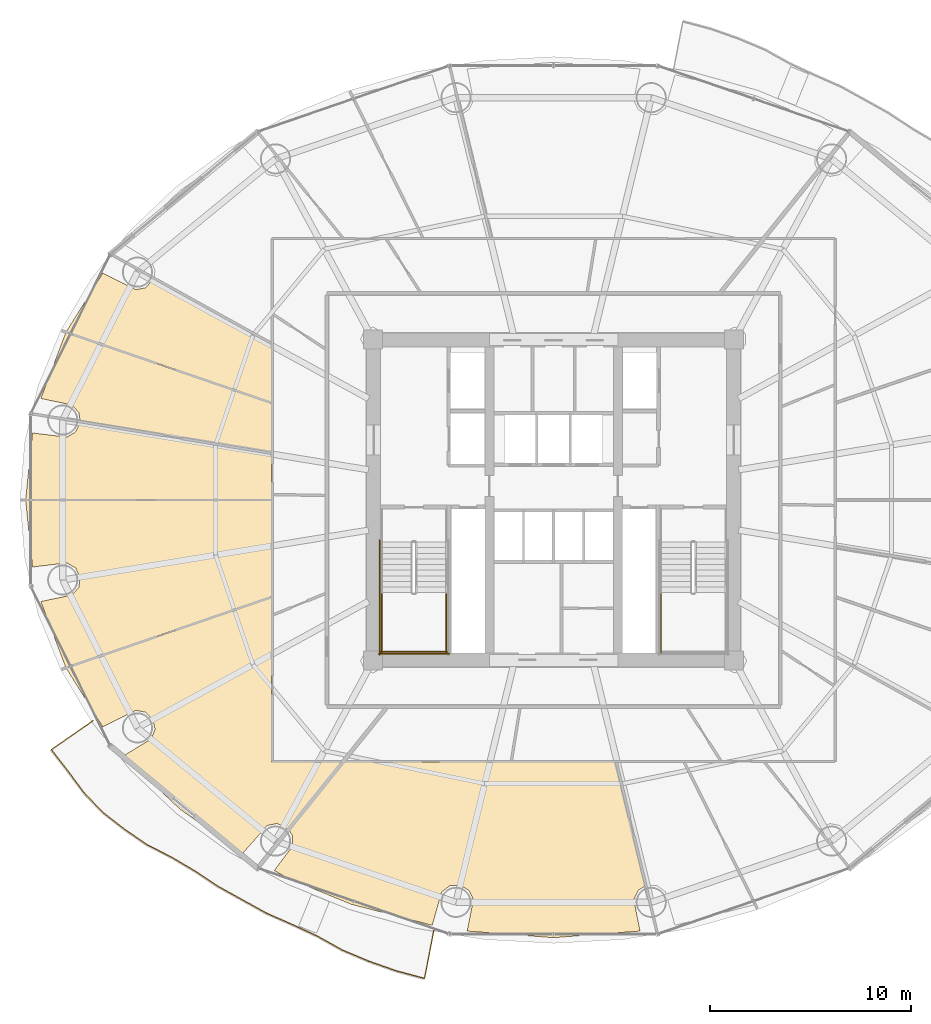
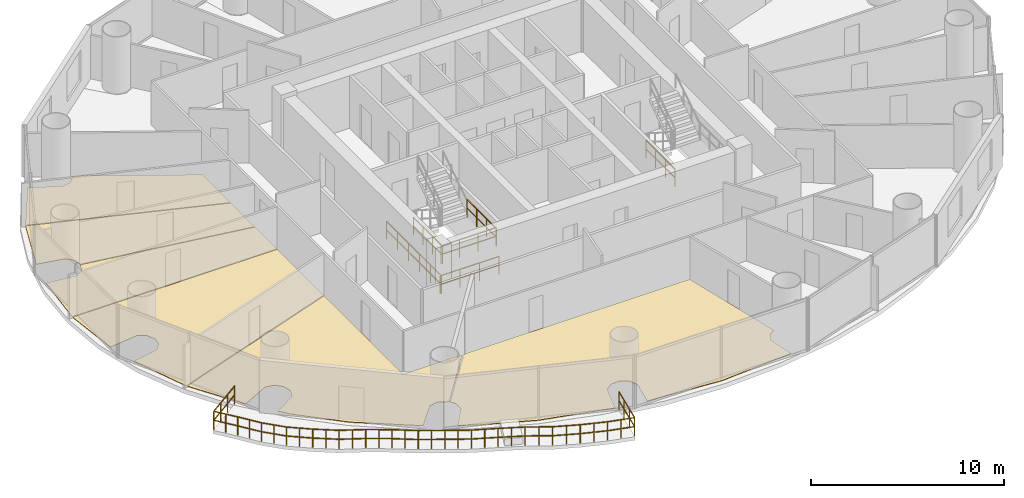
# One storey, part 26 of 29: 7 railings, 6 coverings.
"""IFC4 building model written with IfcOpenShell, lengths in metres."""

from ifc_helpers import new_model, si_unit, direction, frame, origin, origin_2d, place, context, subcontext, project, spatial, polyline, rectangle, outline, extrude, material, layer, layer_set, type_object, element, save


model = new_model("IFC4")

# Units and contexts
model_context = context("Model", 3, precision=1e-05, world=origin(), true_north=direction((-0.2419218956, 0.970295726276)))
body_context = subcontext(model_context, "Body", "Model", "MODEL_VIEW")
ifc_project = project(units=[si_unit("LENGTHUNIT", "METRE"), si_unit("AREAUNIT", "SQUARE_METRE"), si_unit("VOLUMEUNIT", "CUBIC_METRE"), si_unit("PLANEANGLEUNIT", "RADIAN"), si_unit("MASSUNIT", "GRAM", prefix="KILO")], contexts=[model_context])

# Site, building, storey
site_placement = place(None, origin())
site = spatial("IfcSite", under=ifc_project, at=site_placement, CompositionType="ELEMENT")
building_placement = place(site_placement, origin())
building = spatial("IfcBuilding", under=site, at=building_placement, Name="Cobrevalo Terracotta Tower", CompositionType="ELEMENT")
storey_placement = place(building_placement, frame((0.0, 0.0, 119.39990234375)))
storey = spatial("IfcBuildingStorey", under=building, at=storey_placement, Name="L31", CompositionType="ELEMENT", Elevation=119.39990234375)

# Railing
ifc_material_1 = material(Name="Laminated structural glass and stainless steel", Category="steel")
railing_type_1 = type_object("IfcRailingType", Name="Balcony lobe structural glass & terracotta-cap balustrade 1180 mm", PredefinedType="BALUSTRADE", material=ifc_material_1)
railing_1_placement = place(storey_placement, frame((15.0400390625, 15.797119140625, 0.0)))
element("IfcRailing", 1, at=railing_1_placement, inside=storey, type_object=railing_type_1, Name="L31 spiralling balcony lobe balustrade 2", PredefinedType="BALUSTRADE", context=body_context, shape_type="SweptSolid", body=[
    extrude(rectangle(XDim=0.048095703125, YDim=0.048095703125, at=origin_2d()), frame((0.0, 0.0, 1.15576171875), z_axis=(-0.821688559467, -0.569936760738, 0.0), x_axis=(0.569936760738, -0.821688559467, 0.0)), (0.0, 0.0, 1.0), 2.531982421875),
    extrude(rectangle(XDim=0.048095703125, YDim=0.048095703125, at=origin_2d()), frame((0.0, 0.0, 0.58984375), z_axis=(-0.821688559467, -0.569936760738, 0.0), x_axis=(0.569936760738, -0.821688559467, 0.0)), (0.0, 0.0, 1.0), 2.531982421875),
    extrude(rectangle(XDim=0.048095703125, YDim=0.048095703125, at=origin_2d()), frame((-2.08056640625, -1.443115234375, 1.15576171875), z_axis=(0.613902845366, -0.789381591153, 0.0), x_axis=(0.789381591153, 0.613902845366, 0.0)), (0.0, 0.0, 1.0), 1.342529296875),
    extrude(rectangle(XDim=0.048095703125, YDim=0.048095703125, at=origin_2d()), frame((-2.08056640625, -1.443115234375, 0.58984375), z_axis=(0.613902845366, -0.789381591153, 0.0), x_axis=(0.789381591153, 0.613902845366, 0.0)), (0.0, 0.0, 1.0), 1.342529296875),
    extrude(rectangle(XDim=0.048095703125, YDim=0.048095703125, at=origin_2d()), frame((-1.25634765625, -2.5029296875, 1.15576171875), z_axis=(0.594845351967, -0.803840162746, 0.0), x_axis=(0.803840162746, 0.594845351967, 0.0)), (0.0, 0.0, 1.0), 1.344482421875),
    extrude(rectangle(XDim=0.048095703125, YDim=0.048095703125, at=origin_2d()), frame((-1.25634765625, -2.5029296875, 0.58984375), z_axis=(0.594845351967, -0.803840162746, 0.0), x_axis=(0.803840162746, 0.594845351967, 0.0)), (0.0, 0.0, 1.0), 1.344482421875),
    extrude(rectangle(XDim=0.048095703125, YDim=0.048095703125, at=origin_2d()), frame((-0.45654296875, -3.583740234375, 1.15576171875), z_axis=(0.690106141714, -0.72370816851, 0.0), x_axis=(0.72370816851, 0.690106141714, 0.0)), (0.0, 0.0, 1.0), 1.351318359375),
    extrude(rectangle(XDim=0.048095703125, YDim=0.048095703125, at=origin_2d()), frame((-0.45654296875, -3.583740234375, 0.58984375), z_axis=(0.690106141714, -0.72370816851, 0.0), x_axis=(0.72370816851, 0.690106141714, 0.0)), (0.0, 0.0, 1.0), 1.351318359375),
    extrude(rectangle(XDim=0.048095703125, YDim=0.048095703125, at=origin_2d()), frame((0.47607421875, -4.561767578125, 1.15576171875), z_axis=(0.788738669007, -0.614728649091, 0.0), x_axis=(0.614728649091, 0.788738669007, 0.0)), (0.0, 0.0, 1.0), 1.3720703125),
    extrude(rectangle(XDim=0.048095703125, YDim=0.048095703125, at=origin_2d()), frame((0.47607421875, -4.561767578125, 0.58984375), z_axis=(0.788738669007, -0.614728649091, 0.0), x_axis=(0.614728649091, 0.788738669007, 0.0)), (0.0, 0.0, 1.0), 1.3720703125),
    extrude(rectangle(XDim=0.048095703125, YDim=0.048095703125, at=origin_2d()), frame((1.558349609375, -5.4052734375, 1.15576171875), z_axis=(0.824418249689, -0.565981050548, 0.0), x_axis=(0.565981050548, 0.824418249689, 0.0)), (0.0, 0.0, 1.0), 1.3623046875),
    extrude(rectangle(XDim=0.048095703125, YDim=0.048095703125, at=origin_2d()), frame((1.558349609375, -5.4052734375, 0.58984375), z_axis=(0.824418249689, -0.565981050548, 0.0), x_axis=(0.565981050548, 0.824418249689, 0.0)), (0.0, 0.0, 1.0), 1.3623046875),
    extrude(rectangle(XDim=0.048095703125, YDim=0.048095703125, at=origin_2d()), frame((2.681396484375, -6.17626953125, 1.15576171875), z_axis=(0.890499434738, -0.454984347786, 0.0), x_axis=(0.454984347786, 0.890499434738, 0.0)), (0.0, 0.0, 1.0), 1.391845703125),
    extrude(rectangle(XDim=0.048095703125, YDim=0.048095703125, at=origin_2d()), frame((2.681396484375, -6.17626953125, 0.58984375), z_axis=(0.890499434738, -0.454984347786, 0.0), x_axis=(0.454984347786, 0.890499434738, 0.0)), (0.0, 0.0, 1.0), 1.391845703125),
    extrude(rectangle(XDim=0.048095703125, YDim=0.048095703125, at=origin_2d()), frame((3.9208984375, -6.8095703125, 1.15576171875), z_axis=(0.861385990697, -0.507950957308, 0.0), x_axis=(0.507950957308, 0.861385990697, 0.0)), (0.0, 0.0, 1.0), 1.363525390625),
    extrude(rectangle(XDim=0.048095703125, YDim=0.048095703125, at=origin_2d()), frame((3.9208984375, -6.8095703125, 0.58984375), z_axis=(0.861385990697, -0.507950957308, 0.0), x_axis=(0.507950957308, 0.861385990697, 0.0)), (0.0, 0.0, 1.0), 1.363525390625),
    extrude(rectangle(XDim=0.048095703125, YDim=0.048095703125, at=origin_2d()), frame((5.095458984375, -7.502197265625, 1.15576171875), z_axis=(0.832684890841, -0.55374711969, 0.0), x_axis=(0.55374711969, 0.832684890841, 0.0)), (0.0, 0.0, 1.0), 1.360107421875),
    extrude(rectangle(XDim=0.048095703125, YDim=0.048095703125, at=origin_2d()), frame((5.095458984375, -7.502197265625, 0.58984375), z_axis=(0.832684890841, -0.55374711969, 0.0), x_axis=(0.55374711969, 0.832684890841, 0.0)), (0.0, 0.0, 1.0), 1.360107421875),
    extrude(rectangle(XDim=0.048095703125, YDim=0.048095703125, at=origin_2d()), frame((6.22802734375, -8.25537109375, 1.15576171875), z_axis=(0.873956840222, -0.486003540553, 0.0), x_axis=(0.486003540553, 0.873956840222, 0.0)), (0.0, 0.0, 1.0), 1.37939453125),
    extrude(rectangle(XDim=0.048095703125, YDim=0.048095703125, at=origin_2d()), frame((6.22802734375, -8.25537109375, 0.58984375), z_axis=(0.873956840222, -0.486003540553, 0.0), x_axis=(0.486003540553, 0.873956840222, 0.0)), (0.0, 0.0, 1.0), 1.37939453125),
    extrude(rectangle(XDim=0.048095703125, YDim=0.048095703125, at=origin_2d()), frame((7.43359375, -8.92578125, 1.15576171875), z_axis=(0.87528297615, -0.483611116148, 0.0), x_axis=(0.483611116148, 0.87528297615, 0.0)), (0.0, 0.0, 1.0), 1.378173828125),
    extrude(rectangle(XDim=0.048095703125, YDim=0.048095703125, at=origin_2d()), frame((7.43359375, -8.92578125, 0.58984375), z_axis=(0.87528297615, -0.483611116148, 0.0), x_axis=(0.483611116148, 0.87528297615, 0.0)), (0.0, 0.0, 1.0), 1.378173828125),
    extrude(rectangle(XDim=0.048095703125, YDim=0.048095703125, at=origin_2d()), frame((8.639892578125, -9.59228515625, 1.15576171875), z_axis=(0.915113559064, -0.403196197919, 0.0), x_axis=(0.403196197919, 0.915113559064, 0.0)), (0.0, 0.0, 1.0), 1.39453125),
    extrude(rectangle(XDim=0.048095703125, YDim=0.048095703125, at=origin_2d()), frame((8.639892578125, -9.59228515625, 0.58984375), z_axis=(0.915113559064, -0.403196197919, 0.0), x_axis=(0.403196197919, 0.915113559064, 0.0)), (0.0, 0.0, 1.0), 1.39453125),
    extrude(rectangle(XDim=0.048095703125, YDim=0.048095703125, at=origin_2d()), frame((9.916015625, -10.154541015625, 1.15576171875), z_axis=(0.907816727581, -0.419367129283, 0.0), x_axis=(0.419367129283, 0.907816727581, 0.0)), (0.0, 0.0, 1.0), 1.403076171875),
    extrude(rectangle(XDim=0.048095703125, YDim=0.048095703125, at=origin_2d()), frame((9.916015625, -10.154541015625, 0.58984375), z_axis=(0.907816727581, -0.419367129283, 0.0), x_axis=(0.419367129283, 0.907816727581, 0.0)), (0.0, 0.0, 1.0), 1.403076171875),
    extrude(rectangle(XDim=0.048095703125, YDim=0.048095703125, at=origin_2d()), frame((11.189697265625, -10.742919921875, 1.15576171875), z_axis=(0.873059011512, -0.487614563377, 0.0), x_axis=(0.487614563377, 0.873059011512, 0.0)), (0.0, 0.0, 1.0), 1.428955078125),
    extrude(rectangle(XDim=0.048095703125, YDim=0.048095703125, at=origin_2d()), frame((11.189697265625, -10.742919921875, 0.58984375), z_axis=(0.873059011512, -0.487614563377, 0.0), x_axis=(0.487614563377, 0.873059011512, 0.0)), (0.0, 0.0, 1.0), 1.428955078125),
    extrude(rectangle(XDim=0.048095703125, YDim=0.048095703125, at=origin_2d()), frame((12.437255859375, -11.439697265625, 1.15576171875), z_axis=(0.922710376599, -0.385493918131, 0.0), x_axis=(0.385493918131, 0.922710376599, 0.0)), (0.0, 0.0, 1.0), 1.440185546875),
    extrude(rectangle(XDim=0.048095703125, YDim=0.048095703125, at=origin_2d()), frame((12.437255859375, -11.439697265625, 0.58984375), z_axis=(0.922710376599, -0.385493918131, 0.0), x_axis=(0.385493918131, 0.922710376599, 0.0)), (0.0, 0.0, 1.0), 1.440185546875),
    extrude(rectangle(XDim=0.048095703125, YDim=0.048095703125, at=origin_2d()), frame((13.76611328125, -11.994873046875, 1.15576171875), z_axis=(0.943345724763, -0.331811457867, 0.0), x_axis=(0.331811457867, 0.943345724763, 0.0)), (0.0, 0.0, 1.0), 1.443603515625),
    extrude(rectangle(XDim=0.048095703125, YDim=0.048095703125, at=origin_2d()), frame((13.76611328125, -11.994873046875, 0.58984375), z_axis=(0.943345724763, -0.331811457867, 0.0), x_axis=(0.331811457867, 0.943345724763, 0.0)), (0.0, 0.0, 1.0), 1.443603515625),
    extrude(rectangle(XDim=0.048095703125, YDim=0.048095703125, at=origin_2d()), frame((15.1279296875, -12.473876953125, 1.15576171875), z_axis=(0.96615949458, -0.257945403203, 0.0), x_axis=(0.257945403203, 0.96615949458, 0.0)), (0.0, 0.0, 1.0), 1.450927734375),
    extrude(rectangle(XDim=0.048095703125, YDim=0.048095703125, at=origin_2d()), frame((15.1279296875, -12.473876953125, 0.58984375), z_axis=(0.96615949458, -0.257945403203, 0.0), x_axis=(0.257945403203, 0.96615949458, 0.0)), (0.0, 0.0, 1.0), 1.450927734375),
    extrude(rectangle(XDim=0.048095703125, YDim=0.048095703125, at=origin_2d()), frame((16.52978515625, -12.84814453125, 1.15576171875), z_axis=(0.188974829372, 0.981981931536, 0.0), x_axis=(-0.981981931536, 0.188974829372, 0.0)), (0.0, 0.0, 1.0), 2.487060546875),
    extrude(rectangle(XDim=0.048095703125, YDim=0.048095703125, at=origin_2d()), frame((16.52978515625, -12.84814453125, 0.58984375), z_axis=(0.188974829372, 0.981981931536, 0.0), x_axis=(-0.981981931536, 0.188974829372, 0.0)), (0.0, 0.0, 1.0), 2.487060546875),
    extrude(rectangle(XDim=0.0419921875, YDim=0.0419921875, at=origin_2d()), origin(), (0.0, 0.0, 1.0), 1.1318359375),
    extrude(rectangle(XDim=0.0419921875, YDim=0.0419921875, at=origin_2d()), frame((-0.693603515625, -0.48095703125, 0.0)), (0.0, 0.0, 1.0), 1.1318359375),
    extrude(rectangle(XDim=0.0419921875, YDim=0.0419921875, at=origin_2d()), frame((-1.386962890625, -0.962158203125, 0.0)), (0.0, 0.0, 1.0), 1.1318359375),
    extrude(rectangle(XDim=0.0419921875, YDim=0.0419921875, at=origin_2d()), frame((-2.08056640625, -1.443115234375, 0.0)), (0.0, 0.0, 1.0), 1.1318359375),
    extrude(rectangle(XDim=0.0419921875, YDim=0.0419921875, at=origin_2d()), frame((-1.66845703125, -1.97314453125, 0.0)), (0.0, 0.0, 1.0), 1.1318359375),
    extrude(rectangle(XDim=0.0419921875, YDim=0.0419921875, at=origin_2d()), frame((-1.25634765625, -2.5029296875, 0.0)), (0.0, 0.0, 1.0), 1.1318359375),
    extrude(rectangle(XDim=0.0419921875, YDim=0.0419921875, at=origin_2d()), frame((-0.8564453125, -3.04345703125, 0.0)), (0.0, 0.0, 1.0), 1.1318359375),
    extrude(rectangle(XDim=0.0419921875, YDim=0.0419921875, at=origin_2d()), frame((-0.45654296875, -3.583740234375, 0.0)), (0.0, 0.0, 1.0), 1.1318359375),
    extrude(rectangle(XDim=0.0419921875, YDim=0.0419921875, at=origin_2d()), frame((0.009765625, -4.07275390625, 0.0)), (0.0, 0.0, 1.0), 1.1318359375),
    extrude(rectangle(XDim=0.0419921875, YDim=0.0419921875, at=origin_2d()), frame((0.47607421875, -4.561767578125, 0.0)), (0.0, 0.0, 1.0), 1.1318359375),
    extrude(rectangle(XDim=0.0419921875, YDim=0.0419921875, at=origin_2d()), frame((1.01708984375, -4.9833984375, 0.0)), (0.0, 0.0, 1.0), 1.1318359375),
    extrude(rectangle(XDim=0.0419921875, YDim=0.0419921875, at=origin_2d()), frame((1.558349609375, -5.4052734375, 0.0)), (0.0, 0.0, 1.0), 1.1318359375),
    extrude(rectangle(XDim=0.0419921875, YDim=0.0419921875, at=origin_2d()), frame((2.119873046875, -5.790771484375, 0.0)), (0.0, 0.0, 1.0), 1.1318359375),
    extrude(rectangle(XDim=0.0419921875, YDim=0.0419921875, at=origin_2d()), frame((2.681396484375, -6.17626953125, 0.0)), (0.0, 0.0, 1.0), 1.1318359375),
    extrude(rectangle(XDim=0.0419921875, YDim=0.0419921875, at=origin_2d()), frame((3.30126953125, -6.492919921875, 0.0)), (0.0, 0.0, 1.0), 1.1318359375),
    extrude(rectangle(XDim=0.0419921875, YDim=0.0419921875, at=origin_2d()), frame((3.9208984375, -6.8095703125, 0.0)), (0.0, 0.0, 1.0), 1.1318359375),
    extrude(rectangle(XDim=0.0419921875, YDim=0.0419921875, at=origin_2d()), frame((4.50830078125, -7.15576171875, 0.0)), (0.0, 0.0, 1.0), 1.1318359375),
    extrude(rectangle(XDim=0.0419921875, YDim=0.0419921875, at=origin_2d()), frame((5.095458984375, -7.502197265625, 0.0)), (0.0, 0.0, 1.0), 1.1318359375),
    extrude(rectangle(XDim=0.0419921875, YDim=0.0419921875, at=origin_2d()), frame((5.66162109375, -7.87890625, 0.0)), (0.0, 0.0, 1.0), 1.1318359375),
    extrude(rectangle(XDim=0.0419921875, YDim=0.0419921875, at=origin_2d()), frame((6.22802734375, -8.25537109375, 0.0)), (0.0, 0.0, 1.0), 1.1318359375),
    extrude(rectangle(XDim=0.0419921875, YDim=0.0419921875, at=origin_2d()), frame((6.830810546875, -8.590576171875, 0.0)), (0.0, 0.0, 1.0), 1.1318359375),
    extrude(rectangle(XDim=0.0419921875, YDim=0.0419921875, at=origin_2d()), frame((7.43359375, -8.92578125, 0.0)), (0.0, 0.0, 1.0), 1.1318359375),
    extrude(rectangle(XDim=0.0419921875, YDim=0.0419921875, at=origin_2d()), frame((8.03662109375, -9.259033203125, 0.0)), (0.0, 0.0, 1.0), 1.1318359375),
    extrude(rectangle(XDim=0.0419921875, YDim=0.0419921875, at=origin_2d()), frame((8.639892578125, -9.59228515625, 0.0)), (0.0, 0.0, 1.0), 1.1318359375),
    extrude(rectangle(XDim=0.0419921875, YDim=0.0419921875, at=origin_2d()), frame((9.27783203125, -9.87353515625, 0.0)), (0.0, 0.0, 1.0), 1.1318359375),
    extrude(rectangle(XDim=0.0419921875, YDim=0.0419921875, at=origin_2d()), frame((9.916015625, -10.154541015625, 0.0)), (0.0, 0.0, 1.0), 1.1318359375),
    extrude(rectangle(XDim=0.0419921875, YDim=0.0419921875, at=origin_2d()), frame((10.552734375, -10.44873046875, 0.0)), (0.0, 0.0, 1.0), 1.1318359375),
    extrude(rectangle(XDim=0.0419921875, YDim=0.0419921875, at=origin_2d()), frame((11.189697265625, -10.742919921875, 0.0)), (0.0, 0.0, 1.0), 1.1318359375),
    extrude(rectangle(XDim=0.0419921875, YDim=0.0419921875, at=origin_2d()), frame((11.8134765625, -11.09130859375, 0.0)), (0.0, 0.0, 1.0), 1.1318359375),
    extrude(rectangle(XDim=0.0419921875, YDim=0.0419921875, at=origin_2d()), frame((12.437255859375, -11.439697265625, 0.0)), (0.0, 0.0, 1.0), 1.1318359375),
    extrude(rectangle(XDim=0.0419921875, YDim=0.0419921875, at=origin_2d()), frame((13.1015625, -11.71728515625, 0.0)), (0.0, 0.0, 1.0), 1.1318359375),
    extrude(rectangle(XDim=0.0419921875, YDim=0.0419921875, at=origin_2d()), frame((13.76611328125, -11.994873046875, 0.0)), (0.0, 0.0, 1.0), 1.1318359375),
    extrude(rectangle(XDim=0.0419921875, YDim=0.0419921875, at=origin_2d()), frame((14.447021484375, -12.234375, 0.0)), (0.0, 0.0, 1.0), 1.1318359375),
    extrude(rectangle(XDim=0.0419921875, YDim=0.0419921875, at=origin_2d()), frame((15.1279296875, -12.473876953125, 0.0)), (0.0, 0.0, 1.0), 1.1318359375),
    extrude(rectangle(XDim=0.0419921875, YDim=0.0419921875, at=origin_2d()), frame((15.828857421875, -12.6611328125, 0.0)), (0.0, 0.0, 1.0), 1.1318359375),
    extrude(rectangle(XDim=0.0419921875, YDim=0.0419921875, at=origin_2d()), frame((16.52978515625, -12.84814453125, 0.0)), (0.0, 0.0, 1.0), 1.1318359375),
    extrude(rectangle(XDim=0.0419921875, YDim=0.0419921875, at=origin_2d()), frame((16.6865234375, -12.0341796875, 0.0)), (0.0, 0.0, 1.0), 1.1318359375),
    extrude(rectangle(XDim=0.0419921875, YDim=0.0419921875, at=origin_2d()), frame((16.843017578125, -11.219970703125, 0.0)), (0.0, 0.0, 1.0), 1.1318359375),
    extrude(rectangle(XDim=0.0419921875, YDim=0.0419921875, at=origin_2d()), frame((16.999755859375, -10.406005859375, 0.0)), (0.0, 0.0, 1.0), 1.1318359375),
])

# Coverings
ifc_material_2 = material(Name="Engineered Brazilian hardwood flooring", Category="wood")
ifc_layer = layer(ifc_material_2, 0.028076171875)
ifc_layer_set = layer_set([ifc_layer], Name="Engineered Brazilian hardwood flooring")
covering_type = type_object("IfcCoveringType", Name="Engineered Hardwood Suite Flooring 28", PredefinedType="FLOORING", material=ifc_layer_set)
covering_1_placement = place(storey_placement, origin())
element("IfcCovering", 2, at=covering_1_placement, inside=storey, type_object=covering_type, Name="Flat L31A South Bedroom floor finish", PredefinedType="FLOORING", context=body_context, shape_type="SweptSolid", body=[
    extrude(outline(polyline([(15.525146484375, 38.10546875), (17.15966796875, 37.286376953125), (17.661865234375, 37.381103515625), (18.0703125, 37.8408203125), (23.945068359375, 34.57958984375), (23.945068359375, 31.657958984375), (13.703125, 35.1826171875), (15.525146484375, 38.10546875)])), origin(), (0.0, 0.0, 1.0), 0.030029296875),
])
covering_2_placement = place(storey_placement, origin())
element("IfcCovering", 3, at=covering_2_placement, inside=storey, type_object=covering_type, Name="Flat L31A Penthouse Family Lounge floor finish", PredefinedType="FLOORING", context=body_context, shape_type="SweptSolid", body=[
    extrude(outline(polyline([(13.6845703125, 35.146728515625), (23.945068359375, 31.61572265625), (23.945068359375, 29.14306640625), (14.402587890625, 30.719970703125), (14.330322265625, 31.154541015625), (13.99267578125, 31.537841796875), (12.435791015625, 31.859619140625), (13.6845703125, 35.146728515625)])), origin(), (0.0, 0.0, 1.0), 0.030029296875),
])
covering_3_placement = place(storey_placement, origin())
element("IfcCovering", 4, at=covering_3_placement, inside=storey, type_object=covering_type, Name="Flat L31A Penthouse Family Lounge floor finish", PredefinedType="FLOORING", context=body_context, shape_type="SweptSolid", body=[
    extrude(outline(polyline([(12.024169921875, 30.143310546875), (13.73095703125, 29.932861328125), (14.1728515625, 30.189208984375), (14.39697265625, 30.680419921875), (23.945068359375, 29.1025390625), (23.945068359375, 26.820068359375), (11.681640625, 26.820068359375), (12.024169921875, 30.143310546875)])), origin(), (0.0, 0.0, 1.0), 0.030029296875),
])
covering_4_placement = place(storey_placement, origin())
element("IfcCovering", 5, at=covering_4_placement, inside=storey, type_object=covering_type, Name="Flat L31A Penthouse Family Lounge floor finish", PredefinedType="FLOORING", context=body_context, shape_type="SweptSolid", body=[
    extrude(outline(polyline([(13.6845703125, 18.453369140625), (12.435791015625, 21.740478515625), (13.99267578125, 22.06201171875), (14.330322265625, 22.445556640625), (14.39794921875, 22.951904296875), (14.1728515625, 23.41064453125), (13.73095703125, 23.6669921875), (12.024169921875, 23.45654296875), (11.681640625, 26.780029296875), (23.945068359375, 26.780029296875), (23.945068359375, 21.984375), (13.6845703125, 18.453369140625)])), origin(), (0.0, 0.0, 1.0), 0.030029296875),
])
covering_5_placement = place(storey_placement, origin())
element("IfcCovering", 6, at=covering_5_placement, inside=storey, type_object=covering_type, Name="Flat L31A Private Cinema Room floor finish", PredefinedType="FLOORING", context=body_context, shape_type="SweptSolid", body=[
    extrude(outline(polyline([(16.64697265625, 14.102294921875), (17.94091796875, 14.88720703125), (18.131591796875, 15.361328125), (18.02685546875, 15.861328125), (17.661865234375, 16.218994140625), (17.15966796875, 16.3134765625), (15.525146484375, 15.49462890625), (13.703125, 18.417236328125), (23.945068359375, 21.94189453125), (23.945068359375, 13.7451171875), (27.47509765625, 13.7451171875), (24.780029296875, 10.393798828125), (24.221923828125, 10.672607421875), (23.72119140625, 10.5712890625), (22.511474609375, 9.193359375), (19.3876953125, 11.372314453125), (17.117919921875, 13.518310546875), (16.64697265625, 14.102294921875)])), origin(), (0.0, 0.0, 1.0), 0.030029296875),
])
covering_6_placement = place(storey_placement, origin())
element("IfcCovering", 7, at=covering_6_placement, inside=storey, type_object=covering_type, Name="Flat L31B Penthouse Living and Dining Room floor finish", PredefinedType="FLOORING", context=body_context, shape_type="SweptSolid", body=[
    extrude(outline(polyline([(38.0, 4.97998046875), (33.6904296875, 5.310791015625), (34.002197265625, 6.87841796875), (33.7802734375, 7.3388671875), (33.340087890625, 7.59814453125), (32.829833984375, 7.5693359375), (32.421875, 7.261962890625), (31.94921875, 5.59814453125), (27.926513671875, 6.641357421875), (24.838623046875, 7.904052734375), (24.07568359375, 8.32666015625), (24.9814453125, 9.543701171875), (24.97998046875, 10.0546875), (24.806640625, 10.36328125), (27.5263671875, 13.7451171875), (41.10498046875, 13.7451171875), (42.5830078125, 7.5712890625), (42.2197265625, 7.3388671875), (41.997802734375, 6.87841796875), (42.3095703125, 5.310791015625), (38.0, 4.97998046875)])), origin(), (0.0, 0.0, 1.0), 0.030029296875),
])

# Railings
ifc_material_3 = material(Name="Painted galvanized steel", Category="steel")
railing_type_2 = type_object("IfcRailingType", Name="Stair Well Guard Balustrade 1150", PredefinedType="GUARDRAIL", material=ifc_material_3)
for number, where, name in (
    (8, (29.425048828125, 22.179931640625, 1.800048828125), "L31 ST-1 stair guard 3"),
    (9, (32.64501953125, 22.179931640625, 1.800048828125), "L31 ST-1 stair guard 4"),
):
    element("IfcRailing", number, at=place(storey_placement, frame(where)), inside=storey, type_object=railing_type_2, Name=name, PredefinedType="GUARDRAIL", context=body_context, shape_type="SweptSolid", body=[
        extrude(rectangle(XDim=0.048095703125, YDim=0.048095703125, at=origin_2d()), frame((0.0, 0.0, 1.1259765625), z_axis=(0.0, -1.0, 0.0), x_axis=(1.0, 0.0, 0.0)), (0.0, 0.0, 1.0), 3.0048828125),
        extrude(rectangle(XDim=0.048095703125, YDim=0.048095703125, at=origin_2d()), frame((0.0, 0.0, 0.574951171875), z_axis=(0.0, -1.0, 0.0), x_axis=(1.0, 0.0, 0.0)), (0.0, 0.0, 1.0), 3.0048828125),
        extrude(rectangle(XDim=0.0419921875, YDim=0.0419921875, at=origin_2d()), origin(), (0.0, 0.0, 1.0), 1.101806640625),
        extrude(rectangle(XDim=0.0419921875, YDim=0.0419921875, at=origin_2d()), frame((0.0, -1.001708984375, 0.0)), (0.0, 0.0, 1.0), 1.101806640625),
        extrude(rectangle(XDim=0.0419921875, YDim=0.0419921875, at=origin_2d()), frame((0.0, -2.003173828125, 0.0)), (0.0, 0.0, 1.0), 1.101806640625),
        extrude(rectangle(XDim=0.0419921875, YDim=0.0419921875, at=origin_2d()), frame((0.0, -3.0048828125, 0.0)), (0.0, 0.0, 1.0), 1.101806640625),
    ])
railing_2_placement = place(storey_placement, frame((29.375, 19.22509765625, 1.800048828125)))
element("IfcRailing", 10, at=railing_2_placement, inside=storey, type_object=railing_type_2, Name="L31 ST-1 stair guard 5", PredefinedType="GUARDRAIL", context=body_context, shape_type="SweptSolid", body=[
    extrude(rectangle(XDim=0.048095703125, YDim=0.048095703125, at=origin_2d()), frame((0.0, 0.0, 1.1259765625), z_axis=(1.0, 0.0, 0.0), x_axis=(0.0, 1.0, 0.0)), (0.0, 0.0, 1.0), 3.320068359375),
    extrude(rectangle(XDim=0.048095703125, YDim=0.048095703125, at=origin_2d()), frame((0.0, 0.0, 0.574951171875), z_axis=(1.0, 0.0, 0.0), x_axis=(0.0, 1.0, 0.0)), (0.0, 0.0, 1.0), 3.320068359375),
    extrude(rectangle(XDim=0.0419921875, YDim=0.0419921875, at=origin_2d()), origin(), (0.0, 0.0, 1.0), 1.101806640625),
    extrude(rectangle(XDim=0.0419921875, YDim=0.0419921875, at=origin_2d()), frame((1.106689453125, 0.0, 0.0)), (0.0, 0.0, 1.0), 1.101806640625),
    extrude(rectangle(XDim=0.0419921875, YDim=0.0419921875, at=origin_2d()), frame((2.21337890625, 0.0, 0.0)), (0.0, 0.0, 1.0), 1.101806640625),
    extrude(rectangle(XDim=0.0419921875, YDim=0.0419921875, at=origin_2d()), frame((3.320068359375, 0.0, 0.0)), (0.0, 0.0, 1.0), 1.101806640625),
])
railing_3_placement = place(storey_placement, frame((29.324951171875, 24.800048828125, 0.0)))
element("IfcRailing", 11, at=railing_3_placement, inside=storey, type_object=railing_type_2, Name="L31 ST-1 stair guard 10", PredefinedType="GUARDRAIL", context=body_context, shape_type="SweptSolid", body=[
    extrude(rectangle(XDim=0.048095703125, YDim=0.048095703125, at=origin_2d()), frame((0.0, 0.0, 1.1259765625), z_axis=(0.0, -1.0, 0.0), x_axis=(1.0, 0.0, 0.0)), (0.0, 0.0, 1.0), 5.72509765625),
    extrude(rectangle(XDim=0.048095703125, YDim=0.048095703125, at=origin_2d()), frame((0.0, 0.0, 0.574951171875), z_axis=(0.0, -1.0, 0.0), x_axis=(1.0, 0.0, 0.0)), (0.0, 0.0, 1.0), 5.72509765625),
    extrude(rectangle(XDim=0.0419921875, YDim=0.0419921875, at=origin_2d()), origin(), (0.0, 0.0, 1.0), 1.101806640625),
    extrude(rectangle(XDim=0.0419921875, YDim=0.0419921875, at=origin_2d()), frame((0.0, -1.14501953125, 0.0)), (0.0, 0.0, 1.0), 1.101806640625),
    extrude(rectangle(XDim=0.0419921875, YDim=0.0419921875, at=origin_2d()), frame((0.0, -2.2900390625, 0.0)), (0.0, 0.0, 1.0), 1.101806640625),
    extrude(rectangle(XDim=0.0419921875, YDim=0.0419921875, at=origin_2d()), frame((0.0, -3.43505859375, 0.0)), (0.0, 0.0, 1.0), 1.101806640625),
    extrude(rectangle(XDim=0.0419921875, YDim=0.0419921875, at=origin_2d()), frame((0.0, -4.580078125, 0.0)), (0.0, 0.0, 1.0), 1.101806640625),
    extrude(rectangle(XDim=0.0419921875, YDim=0.0419921875, at=origin_2d()), frame((0.0, -5.72509765625, 0.0)), (0.0, 0.0, 1.0), 1.101806640625),
])
railing_4_placement = place(storey_placement, frame((29.27490234375, 19.125, 0.0)))
element("IfcRailing", 12, at=railing_4_placement, inside=storey, type_object=railing_type_2, Name="L31 ST-1 stair guard 12", PredefinedType="GUARDRAIL", context=body_context, shape_type="SweptSolid", body=[
    extrude(rectangle(XDim=0.048095703125, YDim=0.048095703125, at=origin_2d()), frame((0.0, 0.0, 1.1259765625), z_axis=(1.0, 0.0, 0.0), x_axis=(0.0, 1.0, 0.0)), (0.0, 0.0, 1.0), 3.52001953125),
    extrude(rectangle(XDim=0.048095703125, YDim=0.048095703125, at=origin_2d()), frame((0.0, 0.0, 0.574951171875), z_axis=(1.0, 0.0, 0.0), x_axis=(0.0, 1.0, 0.0)), (0.0, 0.0, 1.0), 3.52001953125),
    extrude(rectangle(XDim=0.0419921875, YDim=0.0419921875, at=origin_2d()), origin(), (0.0, 0.0, 1.0), 1.101806640625),
    extrude(rectangle(XDim=0.0419921875, YDim=0.0419921875, at=origin_2d()), frame((1.17333984375, 0.0, 0.0)), (0.0, 0.0, 1.0), 1.101806640625),
    extrude(rectangle(XDim=0.0419921875, YDim=0.0419921875, at=origin_2d()), frame((2.3466796875, 0.0, 0.0)), (0.0, 0.0, 1.0), 1.101806640625),
    extrude(rectangle(XDim=0.0419921875, YDim=0.0419921875, at=origin_2d()), frame((3.52001953125, 0.0, 0.0)), (0.0, 0.0, 1.0), 1.101806640625),
])
railing_5_placement = place(storey_placement, frame((43.35498046875, 22.179931640625, 1.800048828125)))
element("IfcRailing", 13, at=railing_5_placement, inside=storey, type_object=railing_type_2, Name="L31 ST-2 stair guard 3", PredefinedType="GUARDRAIL", context=body_context, shape_type="SweptSolid", body=[
    extrude(rectangle(XDim=0.048095703125, YDim=0.048095703125, at=origin_2d()), frame((0.0, 0.0, 1.1259765625), z_axis=(0.0, -1.0, 0.0), x_axis=(1.0, 0.0, 0.0)), (0.0, 0.0, 1.0), 3.0048828125),
    extrude(rectangle(XDim=0.048095703125, YDim=0.048095703125, at=origin_2d()), frame((0.0, 0.0, 0.574951171875), z_axis=(0.0, -1.0, 0.0), x_axis=(1.0, 0.0, 0.0)), (0.0, 0.0, 1.0), 3.0048828125),
    extrude(rectangle(XDim=0.0419921875, YDim=0.0419921875, at=origin_2d()), origin(), (0.0, 0.0, 1.0), 1.101806640625),
    extrude(rectangle(XDim=0.0419921875, YDim=0.0419921875, at=origin_2d()), frame((0.0, -1.001708984375, 0.0)), (0.0, 0.0, 1.0), 1.101806640625),
    extrude(rectangle(XDim=0.0419921875, YDim=0.0419921875, at=origin_2d()), frame((0.0, -2.003173828125, 0.0)), (0.0, 0.0, 1.0), 1.101806640625),
    extrude(rectangle(XDim=0.0419921875, YDim=0.0419921875, at=origin_2d()), frame((0.0, -3.0048828125, 0.0)), (0.0, 0.0, 1.0), 1.101806640625),
])

save(model, "model.ifc")
